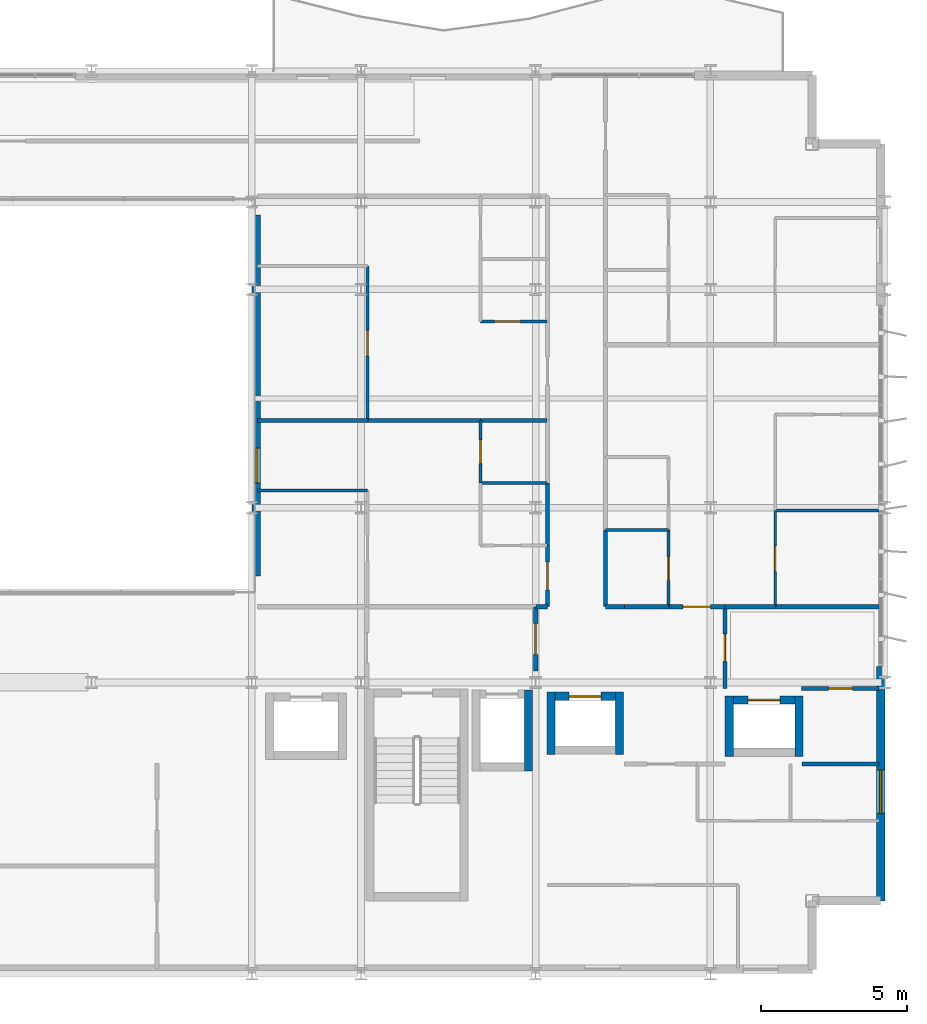
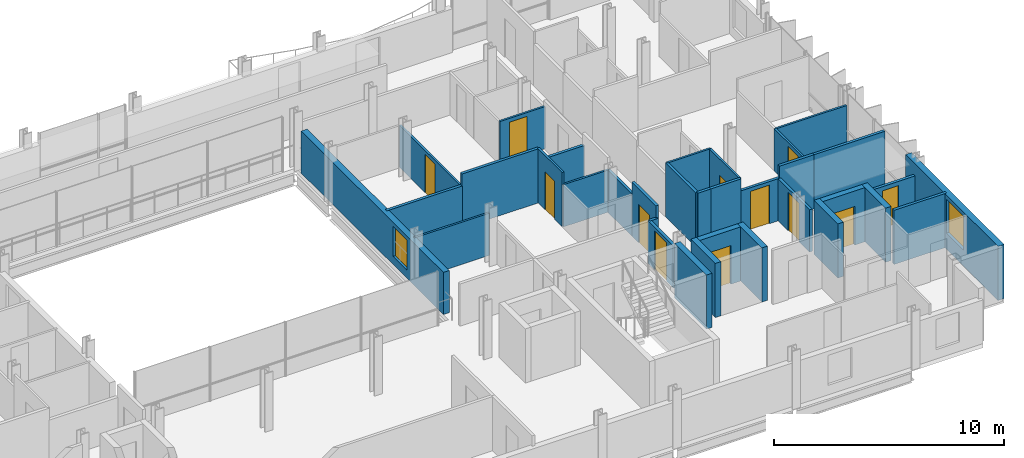
# One storey, part 31 of 38: 34 walls, 12 doors, 2 windows, 14 openings.
"""IFC4 building model written with IfcOpenShell, lengths in metres."""

from ifc_helpers import new_model, si_unit, direction, frame, frame_2d, origin, place, context, subcontext, project, spatial, rectangle, extrude, material, layer, layer_set, type_object, element, fill, save


model = new_model("IFC4")

# Units and contexts
model_context = context("Model", 3, precision=1e-05, world=origin(), true_north=direction((0.0, 1.0)))
body_context = subcontext(model_context, "Body", "Model", "MODEL_VIEW")
ifc_project = project(units=[si_unit("LENGTHUNIT", "METRE"), si_unit("AREAUNIT", "SQUARE_METRE"), si_unit("VOLUMEUNIT", "CUBIC_METRE"), si_unit("PLANEANGLEUNIT", "RADIAN"), si_unit("MASSUNIT", "GRAM", prefix="KILO")], contexts=[model_context])

# Site, building, storey
site_placement = place(None, origin())
site = spatial("IfcSite", under=ifc_project, at=site_placement, CompositionType="ELEMENT")
building_placement = place(site_placement, origin())
building = spatial("IfcBuilding", under=site, at=building_placement, Name="Brevholm Reach", CompositionType="ELEMENT")
storey_placement = place(building_placement, frame((0.0, 0.0, 128.300048828125)))
storey = spatial("IfcBuildingStorey", under=building, at=storey_placement, Name="L38", CompositionType="ELEMENT", Elevation=128.300048828125)

# Walls
ifc_material_1 = material(Name="Concrete C50/60", Category="concrete")
ifc_layer_1 = layer(ifc_material_1, 0.280029296875)
ifc_layer_set_1 = layer_set([ifc_layer_1], Name="Concrete C50/60")
wall_type_1 = type_object("IfcWallType", Name="WAL-COR-280", PredefinedType="SHEAR", material=ifc_layer_set_1)
wall_1_placement = place(storey_placement, frame((47.75, 6.9599609375, 0.0), z_axis=(0.0, 0.0, 1.0), x_axis=(0.0, 1.0, 0.0)))
element("IfcWall", 1, at=wall_1_placement, inside=storey, type_object=wall_type_1, Name="L38 Lift FFL-2 Shaft Wall E", PredefinedType="SHEAR", context=body_context, shape_type="SweptSolid", body=[
    extrude(rectangle(XDim=2.780029296875, YDim=0.280029296875, at=frame_2d((1.39013671875, 0.0))), origin(), (0.0, 0.0, 1.0), 2.8798828125),
])
for number, where, z_axis, x_axis, name in (
    (2, (48.52490234375, 7.534912109375, 0.0), (0.0, 0.0, 1.0), (0.0, 1.0, 0.0), "L38 Lift PL-L1 Shaft Wall W"),
    (3, (50.875, 7.534912109375, 0.0), (0.0, 0.0, 1.0), (0.0, 1.0, 0.0), "L38 Lift PL-L1 Shaft Wall E"),
):
    element("IfcWall", number, at=place(storey_placement, frame(where, z_axis=z_axis, x_axis=x_axis)), inside=storey, type_object=wall_type_1, Name=name, PredefinedType="SHEAR", context=body_context, shape_type="SweptSolid", body=[
        extrude(rectangle(XDim=2.130126953125, YDim=0.280029296875, at=frame_2d((1.06494140625, 0.0))), origin(), (0.0, 0.0, 1.0), 2.8798828125),
    ])

# Wall, opening, door
wall_2_placement = place(storey_placement, frame((48.6650390625, 9.52490234375, 0.0), z_axis=(0.0, 0.0, 1.0), x_axis=(1.0, 0.0, 0.0)))
wall_2 = element("IfcWall", 4, at=wall_2_placement, inside=storey, type_object=wall_type_1, Name="L38 Lift PL-L1 Shaft Wall N", PredefinedType="SHEAR", context=body_context, shape_type="SweptSolid", body=[
    extrude(rectangle(XDim=2.070068359375, YDim=0.280029296875, at=frame_2d((1.03515625, 0.0))), origin(), (0.0, 0.0, 1.0), 2.8798828125),
])
opening_1_placement = place(wall_2_placement, frame((0.485107421875, 0.0, 0.0)))
opening_1 = element("IfcOpeningElement", 5, at=opening_1_placement, cuts=wall_2, Name="Opening LD-PL-L1", PredefinedType="OPENING", context=body_context, shape_type="SweptSolid", body=[
    extrude(rectangle(XDim=1.10009765625, YDim=2.06005859375, at=frame_2d((0.550048828125, 1.030029296875))), frame((0.0, 0.14990234375, 0.0), z_axis=(0.0, -1.0, 0.0), x_axis=(1.0, 0.0, 0.0)), (0.0, 0.0, 1.0), 0.300048828125),
])
ifc_material_2 = material(Name="Brushed Stainless Steel Fire-Rated Sliding Lift Door", Category="steel")
door_type_1 = type_object("IfcDoorType", Name="DOR-LFT-1100", OperationType="NOTDEFINED", PredefinedType="DOOR", material=ifc_material_2)
door_1_placement = place(opening_1_placement, origin())
door_1 = element("IfcDoor", 6, at=door_1_placement, inside=storey, type_object=door_type_1, Name="L38 Lift PL-L1 Sliding Landing Door", OperationType="SLIDING_TO_RIGHT", OverallHeight=2.06005859375, OverallWidth=1.10009765625, PredefinedType="DOOR", context=body_context, shape_type="SweptSolid", body=[
    extrude(rectangle(XDim=1.10009765625, YDim=2.06005859375, at=frame_2d((0.550048828125, 1.030029296875))), frame((0.0, 0.02490234375, 0.0), z_axis=(0.0, -1.0, 0.0), x_axis=(1.0, 0.0, 0.0)), (0.0, 0.0, 1.0), 0.050048828125),
])
fill(opening_1, door_1)

# Walls
for number, where, z_axis, x_axis, name in (
    (7, (54.64990234375, 7.4599609375, 0.0), (0.0, 0.0, 1.0), (0.0, 1.0, 0.0), "L38 Lift PL-L2 Shaft Wall W"),
    (8, (57.050048828125, 7.4599609375, 0.0), (0.0, 0.0, 1.0), (0.0, 1.0, 0.0), "L38 Lift PL-L2 Shaft Wall E"),
):
    element("IfcWall", number, at=place(storey_placement, frame(where, z_axis=z_axis, x_axis=x_axis)), inside=storey, type_object=wall_type_1, Name=name, PredefinedType="SHEAR", context=body_context, shape_type="SweptSolid", body=[
        extrude(rectangle(XDim=2.080078125, YDim=0.280029296875, at=frame_2d((1.0400390625, 0.0))), origin(), (0.0, 0.0, 1.0), 2.8798828125),
    ])

# Wall, opening, door
wall_3_placement = place(storey_placement, frame((54.7900390625, 9.39990234375, 0.0), z_axis=(0.0, 0.0, 1.0), x_axis=(1.0, 0.0, 0.0)))
wall_3 = element("IfcWall", 9, at=wall_3_placement, inside=storey, type_object=wall_type_1, Name="L38 Lift PL-L2 Shaft Wall N", PredefinedType="SHEAR", context=body_context, shape_type="SweptSolid", body=[
    extrude(rectangle(XDim=2.119873046875, YDim=0.280029296875, at=frame_2d((1.06005859375, 0.0))), origin(), (0.0, 0.0, 1.0), 2.8798828125),
])
opening_2_placement = place(wall_3_placement, frame((0.510009765625, 0.0, 0.0)))
opening_2 = element("IfcOpeningElement", 10, at=opening_2_placement, cuts=wall_3, Name="Opening LD-PL-L2", PredefinedType="OPENING", context=body_context, shape_type="SweptSolid", body=[
    extrude(rectangle(XDim=1.10009765625, YDim=2.06005859375, at=frame_2d((0.550048828125, 1.030029296875))), frame((0.0, 0.14990234375, 0.0), z_axis=(0.0, -1.0, 0.0), x_axis=(1.0, 0.0, 0.0)), (0.0, 0.0, 1.0), 0.300048828125),
])
door_2_placement = place(opening_2_placement, origin())
door_2 = element("IfcDoor", 11, at=door_2_placement, inside=storey, type_object=door_type_1, Name="L38 Lift PL-L2 Sliding Landing Door", OperationType="SLIDING_TO_LEFT", OverallHeight=2.06005859375, OverallWidth=1.10009765625, PredefinedType="DOOR", context=body_context, shape_type="SweptSolid", body=[
    extrude(rectangle(XDim=1.10009765625, YDim=2.06005859375, at=frame_2d((0.550048828125, 1.030029296875))), frame((0.0, 0.02490234375, 0.0), z_axis=(0.0, -1.0, 0.0), x_axis=(1.0, 0.0, 0.0)), (0.0, 0.0, 1.0), 0.050048828125),
])
fill(opening_2, door_2)

# Wall, opening, window
ifc_material_3 = material(Name="Concrete C40/50", Category="concrete")
ifc_layer_2 = layer(ifc_material_3, 0.300048828125)
ifc_layer_set_2 = layer_set([ifc_layer_2], Name="Concrete C40/50")
wall_type_2 = type_object("IfcWallType", Name="WAL-EXT-300", PredefinedType="STANDARD", material=ifc_layer_set_2)
wall_4_placement = place(storey_placement, frame((59.85009765625, 2.5, 0.0), z_axis=(0.0, 0.0, 1.0), x_axis=(0.0, 1.0, 0.0)))
wall_4 = element("IfcWall", 12, at=wall_4_placement, inside=storey, type_object=wall_type_2, Name="L38 Facade Wall WAL-L38-E-S", PredefinedType="STANDARD", context=body_context, shape_type="SweptSolid", body=[
    extrude(rectangle(XDim=8.050048828125, YDim=0.300048828125, at=frame_2d((4.02490234375, 0.0))), origin(), (0.0, 0.0, 1.0), 2.8798828125),
])
opening_3_placement = place(wall_4_placement, frame((3.0, 0.0, 0.860107421875)))
opening_3 = element("IfcOpeningElement", 13, at=opening_3_placement, cuts=wall_4, Name="Opening WN-05", PredefinedType="OPENING", context=body_context, shape_type="SweptSolid", body=[
    extrude(rectangle(XDim=1.5, YDim=1.800048828125, at=frame_2d((0.75, 0.89990234375))), frame((0.0, 0.159912109375, 0.0), z_axis=(0.0, -1.0, 0.0), x_axis=(1.0, 0.0, 0.0)), (0.0, 0.0, 1.0), 0.320068359375),
])
ifc_material_4 = material(Name="Dark Anodised Aluminium and Solar-Control IGU Glass", Category="aluminium")
window_type_1 = type_object("IfcWindowType", Name="WIN-RES-1500", PartitioningType="SINGLE_PANEL", PredefinedType="WINDOW", material=ifc_material_4)
window_1_placement = place(opening_3_placement, origin())
window_1 = element("IfcWindow", 14, at=window_1_placement, inside=storey, type_object=window_type_1, Name="L38 Window WIN-L38-ES-1", OverallHeight=1.800048828125, OverallWidth=1.5, PartitioningType="SINGLE_PANEL", PredefinedType="WINDOW", context=body_context, shape_type="SweptSolid", body=[
    extrude(rectangle(XDim=1.5, YDim=1.800048828125, at=frame_2d((0.75, 0.89990234375))), frame((0.0, 0.030029296875, 0.0), z_axis=(0.0, -1.0, 0.0), x_axis=(1.0, 0.0, 0.0)), (0.0, 0.0, 1.0), 0.06005859375),
])
fill(opening_3, window_1)

wall_5_placement = place(storey_placement, frame((38.39990234375, 13.64990234375, 0.0), z_axis=(0.0, 0.0, 1.0), x_axis=(0.0, 1.0, 0.0)))
wall_5 = element("IfcWall", 15, at=wall_5_placement, inside=storey, type_object=wall_type_2, Name="L38 Facade Wall WAL-L38-AT-E", PredefinedType="STANDARD", context=body_context, shape_type="SweptSolid", body=[
    extrude(rectangle(XDim=12.400146484375, YDim=0.300048828125, at=frame_2d((6.2001953125, 0.0))), origin(), (0.0, 0.0, 1.0), 2.24267578125),
])
opening_4_placement = place(wall_5_placement, frame((3.199951171875, 0.0, 0.423095703125)))
opening_4 = element("IfcOpeningElement", 16, at=opening_4_placement, cuts=wall_5, Name="Opening WN-08", PredefinedType="OPENING", context=body_context, shape_type="SweptSolid", body=[
    extrude(rectangle(XDim=1.199951171875, YDim=1.60009765625, at=frame_2d((0.60009765625, 0.800048828125))), frame((0.0, 0.159912109375, 0.0), z_axis=(0.0, -1.0, 0.0), x_axis=(1.0, 0.0, 0.0)), (0.0, 0.0, 1.0), 0.320068359375),
])
ifc_material_5 = material(Name="Dark Anodised Aluminium and Solar-Control IGU Glass", Category="aluminium")
window_type_2 = type_object("IfcWindowType", Name="WIN-RES-1200", PartitioningType="SINGLE_PANEL", PredefinedType="WINDOW", material=ifc_material_5)
window_2_placement = place(opening_4_placement, origin())
window_2 = element("IfcWindow", 17, at=window_2_placement, inside=storey, type_object=window_type_2, Name="L38 Window WIN-L38-AT-E1", OverallHeight=1.60009765625, OverallWidth=1.199951171875, PartitioningType="SINGLE_PANEL", PredefinedType="WINDOW", context=body_context, shape_type="SweptSolid", body=[
    extrude(rectangle(XDim=1.199951171875, YDim=1.60009765625, at=frame_2d((0.60009765625, 0.800048828125))), frame((0.0, 0.030029296875, 0.0), z_axis=(0.0, -1.0, 0.0), x_axis=(1.0, 0.0, 0.0)), (0.0, 0.0, 1.0), 0.06005859375),
])
fill(opening_4, window_2)

# Wall
ifc_material_6 = material(Name="Moisture-Resistant Acoustic Gypsum Stud Partition 100 mm", Category="gypsum")
ifc_layer_3 = layer(ifc_material_6, 0.10009765625)
ifc_layer_set_3 = layer_set([ifc_layer_3], Name="Moisture-Resistant Acoustic Gypsum Stud Partition 100 mm")
wall_type_3 = type_object("IfcWallType", Name="WAL-PRT-100", PredefinedType="PARTITIONING", material=ifc_layer_set_3)
wall_6_placement = place(storey_placement, frame((46.112060546875, 16.85009765625, 0.0), z_axis=(0.0, 0.0, 1.0), x_axis=(1.0, 0.0, 0.0)))
element("IfcWall", 18, at=wall_6_placement, inside=storey, type_object=wall_type_3, Name="L38 Internal Partition 120", PredefinedType="PARTITIONING", context=body_context, shape_type="SweptSolid", body=[
    extrude(rectangle(XDim=2.283935546875, YDim=0.10009765625, at=frame_2d((1.14208984375, 0.0))), origin(), (0.0, 0.0, 1.0), 2.24267578125),
])

# Wall, opening, door
wall_7_placement = place(storey_placement, frame((46.112060546875, 16.85009765625, 0.0), z_axis=(0.0, 0.0, 1.0), x_axis=(0.0, 1.0, 0.0)))
wall_7 = element("IfcWall", 19, at=wall_7_placement, inside=storey, type_object=wall_type_3, Name="L38 Internal Partition 121", PredefinedType="PARTITIONING", context=body_context, shape_type="SweptSolid", body=[
    extrude(rectangle(XDim=2.14990234375, YDim=0.10009765625, at=frame_2d((1.074951171875, 0.0))), origin(), (0.0, 0.0, 1.0), 2.8798828125),
])
opening_5_placement = place(wall_7_placement, frame((0.6650390625, 0.0, 0.0)))
opening_5 = element("IfcOpeningElement", 20, at=opening_5_placement, cuts=wall_7, Name="Opening ID-03", PredefinedType="OPENING", context=body_context, shape_type="SweptSolid", body=[
    extrude(rectangle(XDim=0.820068359375, YDim=2.02001953125, at=frame_2d((0.41015625, 1.010009765625))), frame((0.0, 0.06005859375, 0.0), z_axis=(0.0, -1.0, 0.0), x_axis=(1.0, 0.0, 0.0)), (0.0, 0.0, 1.0), 0.1201171875),
])
ifc_material_7 = material(Name="Moisture-Resistant Painted Timber Internal Bathroom Door", Category="wood")
door_type_2 = type_object("IfcDoorType", Name="DOR-BATH-820", OperationType="NOTDEFINED", PredefinedType="DOOR", material=ifc_material_7)
door_3_placement = place(opening_5_placement, origin())
door_3 = element("IfcDoor", 21, at=door_3_placement, inside=storey, type_object=door_type_2, Name="L38 Internal Door 045", OperationType="SINGLE_SWING_LEFT", OverallHeight=2.02001953125, OverallWidth=0.820068359375, PredefinedType="DOOR", context=body_context, shape_type="SweptSolid", body=[
    extrude(rectangle(XDim=0.820068359375, YDim=2.02001953125, at=frame_2d((0.41015625, 1.010009765625))), frame((0.0, 0.02490234375, 0.0), z_axis=(0.0, -1.0, 0.0), x_axis=(1.0, 0.0, 0.0)), (0.0, 0.0, 1.0), 0.050048828125),
])
fill(opening_5, door_3)

# Wall
wall_8_placement = place(storey_placement, frame((38.449951171875, 16.60009765625, 0.0), z_axis=(0.0, 0.0, 1.0), x_axis=(1.0, 0.0, 0.0)))
element("IfcWall", 22, at=wall_8_placement, inside=storey, type_object=wall_type_3, Name="L38 Internal Partition 126", PredefinedType="PARTITIONING", context=body_context, shape_type="SweptSolid", body=[
    extrude(rectangle(XDim=3.781005859375, YDim=0.10009765625, at=frame_2d((1.890625, 0.0))), origin(), (0.0, 0.0, 1.0), 2.24267578125),
])

# Wall, opening, door
wall_9_placement = place(storey_placement, frame((46.112060546875, 22.39404296875, 0.0), z_axis=(0.0, 0.0, 1.0), x_axis=(1.0, 0.0, 0.0)))
wall_9 = element("IfcWall", 23, at=wall_9_placement, inside=storey, type_object=wall_type_3, Name="L38 Internal Partition 131", PredefinedType="PARTITIONING", context=body_context, shape_type="SweptSolid", body=[
    extrude(rectangle(XDim=2.283935546875, YDim=0.10009765625, at=frame_2d((1.14208984375, 0.0))), origin(), (0.0, 0.0, 1.0), 2.24267578125),
])
opening_6_placement = place(wall_9_placement, frame((0.48193359375, 0.0, 0.0)))
opening_6 = element("IfcOpeningElement", 24, at=opening_6_placement, cuts=wall_9, Name="Opening ID-01", PredefinedType="OPENING", context=body_context, shape_type="SweptSolid", body=[
    extrude(rectangle(XDim=0.8798828125, YDim=2.0400390625, at=frame_2d((0.43994140625, 1.02001953125))), frame((0.0, 0.06005859375, 0.0), z_axis=(0.0, -1.0, 0.0), x_axis=(1.0, 0.0, 0.0)), (0.0, 0.0, 1.0), 0.1201171875),
])
ifc_material_8 = material(Name="Lacquered Ash Solid-Core Acoustic Internal Door", Category="timber")
door_type_3 = type_object("IfcDoorType", Name="DOR-INT-880", OperationType="NOTDEFINED", PredefinedType="DOOR", material=ifc_material_8)
door_4_placement = place(opening_6_placement, origin())
door_4 = element("IfcDoor", 25, at=door_4_placement, inside=storey, type_object=door_type_3, Name="L38 Internal Door 049", OperationType="SINGLE_SWING_LEFT", OverallHeight=2.0400390625, OverallWidth=0.8798828125, PredefinedType="DOOR", context=body_context, shape_type="SweptSolid", body=[
    extrude(rectangle(XDim=0.8798828125, YDim=2.0400390625, at=frame_2d((0.43994140625, 1.02001953125))), frame((0.0, 0.02490234375, 0.0), z_axis=(0.0, -1.0, 0.0), x_axis=(1.0, 0.0, 0.0)), (0.0, 0.0, 1.0), 0.050048828125),
])
fill(opening_6, door_4)

wall_10_placement = place(storey_placement, frame((42.23095703125, 19.00390625, 0.0), z_axis=(0.0, 0.0, 1.0), x_axis=(0.0, 1.0, 0.0)))
wall_10 = element("IfcWall", 26, at=wall_10_placement, inside=storey, type_object=wall_type_3, Name="L38 Internal Partition 133", PredefinedType="PARTITIONING", context=body_context, shape_type="SweptSolid", body=[
    extrude(rectangle(XDim=5.296142578125, YDim=0.10009765625, at=frame_2d((2.64794921875, 0.0))), origin(), (0.0, 0.0, 1.0), 2.24267578125),
])
opening_7_placement = place(wall_10_placement, frame((2.2080078125, 0.0, 0.0)))
opening_7 = element("IfcOpeningElement", 27, at=opening_7_placement, cuts=wall_10, Name="Opening ID-01", PredefinedType="OPENING", context=body_context, shape_type="SweptSolid", body=[
    extrude(rectangle(XDim=0.8798828125, YDim=2.0400390625, at=frame_2d((0.43994140625, 1.02001953125))), frame((0.0, 0.06005859375, 0.0), z_axis=(0.0, -1.0, 0.0), x_axis=(1.0, 0.0, 0.0)), (0.0, 0.0, 1.0), 0.1201171875),
])
door_5_placement = place(opening_7_placement, origin())
door_5 = element("IfcDoor", 28, at=door_5_placement, inside=storey, type_object=door_type_3, Name="L38 Internal Door 050", OperationType="SINGLE_SWING_RIGHT", OverallHeight=2.0400390625, OverallWidth=0.8798828125, PredefinedType="DOOR", context=body_context, shape_type="SweptSolid", body=[
    extrude(rectangle(XDim=0.8798828125, YDim=2.0400390625, at=frame_2d((0.43994140625, 1.02001953125))), frame((0.0, 0.02490234375, 0.0), z_axis=(0.0, -1.0, 0.0), x_axis=(1.0, 0.0, 0.0)), (0.0, 0.0, 1.0), 0.050048828125),
])
fill(opening_7, door_5)

# Wall
wall_11_placement = place(storey_placement, frame((50.404052734375, 15.22998046875, 0.0), z_axis=(0.0, 0.0, 1.0), x_axis=(1.0, 0.0, 0.0)))
element("IfcWall", 29, at=wall_11_placement, inside=storey, type_object=wall_type_3, Name="L38 Internal Partition 135", PredefinedType="PARTITIONING", context=body_context, shape_type="SweptSolid", body=[
    extrude(rectangle(XDim=2.157958984375, YDim=0.10009765625, at=frame_2d((1.0791015625, 0.0))), origin(), (0.0, 0.0, 1.0), 2.8798828125),
])

# Wall, opening, door
wall_12_placement = place(storey_placement, frame((52.56201171875, 12.60400390625, 0.0), z_axis=(0.0, 0.0, 1.0), x_axis=(0.0, 1.0, 0.0)))
wall_12 = element("IfcWall", 30, at=wall_12_placement, inside=storey, type_object=wall_type_3, Name="L38 Internal Partition 136", PredefinedType="PARTITIONING", context=body_context, shape_type="SweptSolid", body=[
    extrude(rectangle(XDim=2.6259765625, YDim=0.10009765625, at=frame_2d((1.31298828125, 0.0))), origin(), (0.0, 0.0, 1.0), 2.8798828125),
])
opening_8_placement = place(wall_12_placement, frame((0.903076171875, 0.0, 0.0)))
opening_8 = element("IfcOpeningElement", 31, at=opening_8_placement, cuts=wall_12, Name="Opening ID-03", PredefinedType="OPENING", context=body_context, shape_type="SweptSolid", body=[
    extrude(rectangle(XDim=0.820068359375, YDim=2.02001953125, at=frame_2d((0.41015625, 1.010009765625))), frame((0.0, 0.06005859375, 0.0), z_axis=(0.0, -1.0, 0.0), x_axis=(1.0, 0.0, 0.0)), (0.0, 0.0, 1.0), 0.1201171875),
])
door_6_placement = place(opening_8_placement, origin())
door_6 = element("IfcDoor", 32, at=door_6_placement, inside=storey, type_object=door_type_2, Name="L38 Internal Door 051", OperationType="SINGLE_SWING_LEFT", OverallHeight=2.02001953125, OverallWidth=0.820068359375, PredefinedType="DOOR", context=body_context, shape_type="SweptSolid", body=[
    extrude(rectangle(XDim=0.820068359375, YDim=2.02001953125, at=frame_2d((0.41015625, 1.010009765625))), frame((0.0, 0.02490234375, 0.0), z_axis=(0.0, -1.0, 0.0), x_axis=(1.0, 0.0, 0.0)), (0.0, 0.0, 1.0), 0.050048828125),
])
fill(opening_8, door_6)

# Wall
wall_13_placement = place(storey_placement, frame((56.22802734375, 15.89990234375, 0.0), z_axis=(0.0, 0.0, 1.0), x_axis=(1.0, 0.0, 0.0)))
element("IfcWall", 33, at=wall_13_placement, inside=storey, type_object=wall_type_3, Name="L38 Internal Partition 139", PredefinedType="PARTITIONING", context=body_context, shape_type="SweptSolid", body=[
    extrude(rectangle(XDim=3.572021484375, YDim=0.10009765625, at=frame_2d((1.7861328125, 0.0))), origin(), (0.0, 0.0, 1.0), 2.24267578125),
])

# Wall, opening, door
wall_14_placement = place(storey_placement, frame((56.22802734375, 12.60400390625, 0.0), z_axis=(0.0, 0.0, 1.0), x_axis=(0.0, 1.0, 0.0)))
wall_14 = element("IfcWall", 34, at=wall_14_placement, inside=storey, type_object=wall_type_3, Name="L38 Internal Partition 140", PredefinedType="PARTITIONING", context=body_context, shape_type="SweptSolid", body=[
    extrude(rectangle(XDim=3.2958984375, YDim=0.10009765625, at=frame_2d((1.64794921875, 0.0))), origin(), (0.0, 0.0, 1.0), 2.24267578125),
])
opening_9_placement = place(wall_14_placement, frame((1.2080078125, 0.0, 0.0)))
opening_9 = element("IfcOpeningElement", 35, at=opening_9_placement, cuts=wall_14, Name="Opening ID-01", PredefinedType="OPENING", context=body_context, shape_type="SweptSolid", body=[
    extrude(rectangle(XDim=0.8798828125, YDim=2.0400390625, at=frame_2d((0.43994140625, 1.02001953125))), frame((0.0, 0.06005859375, 0.0), z_axis=(0.0, -1.0, 0.0), x_axis=(1.0, 0.0, 0.0)), (0.0, 0.0, 1.0), 0.1201171875),
])
door_7_placement = place(opening_9_placement, origin())
door_7 = element("IfcDoor", 36, at=door_7_placement, inside=storey, type_object=door_type_3, Name="L38 Internal Door 053", OperationType="SINGLE_SWING_LEFT", OverallHeight=2.0400390625, OverallWidth=0.8798828125, PredefinedType="DOOR", context=body_context, shape_type="SweptSolid", body=[
    extrude(rectangle(XDim=0.8798828125, YDim=2.0400390625, at=frame_2d((0.43994140625, 1.02001953125))), frame((0.0, 0.02490234375, 0.0), z_axis=(0.0, -1.0, 0.0), x_axis=(1.0, 0.0, 0.0)), (0.0, 0.0, 1.0), 0.050048828125),
])
fill(opening_9, door_7)

ifc_material_9 = material(Name="Twin-Stud Acoustic Fire-Rated Gypsum Partition 140 mm", Category="gypsum")
ifc_layer_4 = layer(ifc_material_9, 0.139892578125)
ifc_layer_set_4 = layer_set([ifc_layer_4], Name="Twin-Stud Acoustic Fire-Rated Gypsum Partition 140 mm")
wall_type_4 = type_object("IfcWallType", Name="WAL-PRT-140", PredefinedType="PARTITIONING", material=ifc_layer_set_4)
wall_15_placement = place(storey_placement, frame((54.5, 9.788818359375, 0.0), z_axis=(0.0, 0.0, 1.0), x_axis=(0.0, 1.0, 0.0)))
wall_15 = element("IfcWall", 37, at=wall_15_placement, inside=storey, type_object=wall_type_4, Name="L38 Internal Partition 009", PredefinedType="PARTITIONING", context=body_context, shape_type="SweptSolid", body=[
    extrude(rectangle(XDim=2.811279296875, YDim=0.139892578125, at=frame_2d((1.40576171875, 0.0))), origin(), (0.0, 0.0, 1.0), 2.24267578125),
])
opening_10_placement = place(wall_15_placement, frame((0.9306640625, 0.0, 0.0)))
opening_10 = element("IfcOpeningElement", 38, at=opening_10_placement, cuts=wall_15, Name="Opening ID-30", PredefinedType="OPENING", context=body_context, shape_type="SweptSolid", body=[
    extrude(rectangle(XDim=0.949951171875, YDim=2.050048828125, at=frame_2d((0.47509765625, 1.02490234375))), frame((0.0, 0.079833984375, 0.0), z_axis=(0.0, -1.0, 0.0), x_axis=(1.0, 0.0, 0.0)), (0.0, 0.0, 1.0), 0.159912109375),
])
ifc_material_10 = material(Name="European Oak Veneered Solid-Core Fire Entrance Door", Category="timber")
door_type_4 = type_object("IfcDoorType", Name="DOR-FLT-FD30S", OperationType="NOTDEFINED", PredefinedType="DOOR", material=ifc_material_10)
door_8_placement = place(opening_10_placement, origin())
door_8 = element("IfcDoor", 39, at=door_8_placement, inside=storey, type_object=door_type_4, Name="L38 Internal Door 005", OperationType="SINGLE_SWING_LEFT", OverallHeight=2.050048828125, OverallWidth=0.949951171875, PredefinedType="DOOR", context=body_context, shape_type="SweptSolid", body=[
    extrude(rectangle(XDim=0.949951171875, YDim=2.050048828125, at=frame_2d((0.47509765625, 1.02490234375))), frame((0.0, 0.02490234375, 0.0), z_axis=(0.0, -1.0, 0.0), x_axis=(1.0, 0.0, 0.0)), (0.0, 0.0, 1.0), 0.050048828125),
])
fill(opening_10, door_8)

# Wall
wall_16_placement = place(storey_placement, frame((51.050048828125, 12.60009765625, 0.0), z_axis=(0.0, 0.0, 1.0), x_axis=(1.0, 0.0, 0.0)))
element("IfcWall", 40, at=wall_16_placement, inside=storey, type_object=wall_type_4, Name="L38 Internal Partition 012", PredefinedType="PARTITIONING", context=body_context, shape_type="SweptSolid", body=[
    extrude(rectangle(XDim=1.523193359375, YDim=0.139892578125, at=frame_2d((0.76171875, 0.0))), origin(), (0.0, 0.0, 1.0), 2.8798828125),
])

# Wall, opening, door
wall_17_placement = place(storey_placement, frame((52.5546875, 12.60009765625, 0.0), z_axis=(0.0, 0.0, 1.0), x_axis=(1.0, 0.0, 0.0)))
wall_17 = element("IfcWall", 41, at=wall_17_placement, inside=storey, type_object=wall_type_4, Name="L38 Internal Partition 013", PredefinedType="PARTITIONING", context=body_context, shape_type="SweptSolid", body=[
    extrude(rectangle(XDim=1.9453125, YDim=0.139892578125, at=frame_2d((0.97265625, 0.0))), origin(), (0.0, 0.0, 1.0), 2.24267578125),
])
opening_11_placement = place(wall_17_placement, frame((0.497802734375, 0.0, 0.0)))
opening_11 = element("IfcOpeningElement", 42, at=opening_11_placement, cuts=wall_17, Name="Opening ID-30", PredefinedType="OPENING", context=body_context, shape_type="SweptSolid", body=[
    extrude(rectangle(XDim=0.949951171875, YDim=2.050048828125, at=frame_2d((0.47509765625, 1.02490234375))), frame((0.0, 0.079833984375, 0.0), z_axis=(0.0, -1.0, 0.0), x_axis=(1.0, 0.0, 0.0)), (0.0, 0.0, 1.0), 0.159912109375),
])
door_9_placement = place(opening_11_placement, origin())
door_9 = element("IfcDoor", 43, at=door_9_placement, inside=storey, type_object=door_type_4, Name="L38 Internal Door 007", OperationType="SINGLE_SWING_LEFT", OverallHeight=2.050048828125, OverallWidth=0.949951171875, PredefinedType="DOOR", context=body_context, shape_type="SweptSolid", body=[
    extrude(rectangle(XDim=0.949951171875, YDim=2.050048828125, at=frame_2d((0.47509765625, 1.02490234375))), frame((0.0, 0.02490234375, 0.0), z_axis=(0.0, -1.0, 0.0), x_axis=(1.0, 0.0, 0.0)), (0.0, 0.0, 1.0), 0.050048828125),
])
fill(opening_11, door_9)

# Walls
wall_18_placement = place(storey_placement, frame((48.00390625, 12.60009765625, 0.0), z_axis=(0.0, 0.0, 1.0), x_axis=(1.0, 0.0, 0.0)))
element("IfcWall", 44, at=wall_18_placement, inside=storey, type_object=wall_type_4, Name="L38 Internal Partition 029", PredefinedType="PARTITIONING", context=body_context, shape_type="SweptSolid", body=[
    extrude(rectangle(XDim=0.4033203125, YDim=0.139892578125, at=frame_2d((0.20166015625, 0.0))), origin(), (0.0, 0.0, 1.0), 2.24267578125),
])
wall_19_placement = place(storey_placement, frame((50.392578125, 12.60009765625, 0.0), z_axis=(0.0, 0.0, 1.0), x_axis=(1.0, 0.0, 0.0)))
element("IfcWall", 45, at=wall_19_placement, inside=storey, type_object=wall_type_4, Name="L38 Internal Partition 030", PredefinedType="PARTITIONING", context=body_context, shape_type="SweptSolid", body=[
    extrude(rectangle(XDim=0.6533203125, YDim=0.139892578125, at=frame_2d((0.32666015625, 0.0))), origin(), (0.0, 0.0, 1.0), 2.8798828125),
])
wall_20_placement = place(storey_placement, frame((48.39990234375, 14.688720703125, 0.0), z_axis=(0.0, 0.0, 1.0), x_axis=(0.0, 1.0, 0.0)))
element("IfcWall", 46, at=wall_20_placement, inside=storey, type_object=wall_type_4, Name="L38 Internal Partition 044", PredefinedType="PARTITIONING", context=body_context, shape_type="SweptSolid", body=[
    extrude(rectangle(XDim=2.168701171875, YDim=0.139892578125, at=frame_2d((1.08447265625, 0.0))), origin(), (0.0, 0.0, 1.0), 2.24267578125),
])

# Wall, opening, door
wall_21_placement = place(storey_placement, frame((48.39990234375, 12.60400390625, 0.0), z_axis=(0.0, 0.0, 1.0), x_axis=(0.0, 1.0, 0.0)))
wall_21 = element("IfcWall", 47, at=wall_21_placement, inside=storey, type_object=wall_type_4, Name="L38 Internal Partition 045", PredefinedType="PARTITIONING", context=body_context, shape_type="SweptSolid", body=[
    extrude(rectangle(XDim=2.103271484375, YDim=0.139892578125, at=frame_2d((1.0517578125, 0.0))), origin(), (0.0, 0.0, 1.0), 2.8798828125),
])
opening_12_placement = place(wall_21_placement, frame((0.57666015625, 0.0, 0.0)))
opening_12 = element("IfcOpeningElement", 48, at=opening_12_placement, cuts=wall_21, Name="Opening ID-30", PredefinedType="OPENING", context=body_context, shape_type="SweptSolid", body=[
    extrude(rectangle(XDim=0.949951171875, YDim=2.050048828125, at=frame_2d((0.47509765625, 1.02490234375))), frame((0.0, 0.079833984375, 0.0), z_axis=(0.0, -1.0, 0.0), x_axis=(1.0, 0.0, 0.0)), (0.0, 0.0, 1.0), 0.159912109375),
])
door_10_placement = place(opening_12_placement, origin())
door_10 = element("IfcDoor", 49, at=door_10_placement, inside=storey, type_object=door_type_4, Name="L38 Internal Door 017", OperationType="SINGLE_SWING_LEFT", OverallHeight=2.050048828125, OverallWidth=0.949951171875, PredefinedType="DOOR", context=body_context, shape_type="SweptSolid", body=[
    extrude(rectangle(XDim=0.949951171875, YDim=2.050048828125, at=frame_2d((0.47509765625, 1.02490234375))), frame((0.0, 0.02490234375, 0.0), z_axis=(0.0, -1.0, 0.0), x_axis=(1.0, 0.0, 0.0)), (0.0, 0.0, 1.0), 0.050048828125),
])
fill(opening_12, door_10)

# Wall
wall_22_placement = place(storey_placement, frame((50.39990234375, 12.60400390625, 0.0), z_axis=(0.0, 0.0, 1.0), x_axis=(0.0, 1.0, 0.0)))
element("IfcWall", 50, at=wall_22_placement, inside=storey, type_object=wall_type_4, Name="L38 Internal Partition 049", PredefinedType="PARTITIONING", context=body_context, shape_type="SweptSolid", body=[
    extrude(rectangle(XDim=2.63720703125, YDim=0.139892578125, at=frame_2d((1.318603515625, 0.0))), origin(), (0.0, 0.0, 1.0), 2.8798828125),
])

# Wall, opening, door
wall_23_placement = place(storey_placement, frame((57.138671875, 9.800048828125, 0.0), z_axis=(0.0, 0.0, 1.0), x_axis=(1.0, 0.0, 0.0)))
wall_23 = element("IfcWall", 51, at=wall_23_placement, inside=storey, type_object=wall_type_4, Name="L38 Internal Partition 074", PredefinedType="PARTITIONING", context=body_context, shape_type="SweptSolid", body=[
    extrude(rectangle(XDim=2.661376953125, YDim=0.139892578125, at=frame_2d((1.33056640625, 0.0))), origin(), (0.0, 0.0, 1.0), 2.24267578125),
])
opening_13_placement = place(wall_23_placement, frame((0.920654296875, 0.0, 0.0)))
opening_13 = element("IfcOpeningElement", 52, at=opening_13_placement, cuts=wall_23, Name="Opening ID-02", PredefinedType="OPENING", context=body_context, shape_type="SweptSolid", body=[
    extrude(rectangle(XDim=0.820068359375, YDim=2.02001953125, at=frame_2d((0.41015625, 1.010009765625))), frame((0.0, 0.079833984375, 0.0), z_axis=(0.0, -1.0, 0.0), x_axis=(1.0, 0.0, 0.0)), (0.0, 0.0, 1.0), 0.159912109375),
])
ifc_material_11 = material(Name="Moisture-Resistant Painted Timber Fire-Rated Riser and Service Door", Category="wood")
door_type_5 = type_object("IfcDoorType", Name="DOR-SRV-820", OperationType="NOTDEFINED", PredefinedType="DOOR", material=ifc_material_11)
door_11_placement = place(opening_13_placement, origin())
door_11 = element("IfcDoor", 53, at=door_11_placement, inside=storey, type_object=door_type_5, Name="L38 Access Door 059", OperationType="SINGLE_SWING_LEFT", OverallHeight=2.02001953125, OverallWidth=0.820068359375, PredefinedType="DOOR", context=body_context, shape_type="SweptSolid", body=[
    extrude(rectangle(XDim=0.820068359375, YDim=2.02001953125, at=frame_2d((0.41015625, 1.010009765625))), frame((0.0, 0.02490234375, 0.0), z_axis=(0.0, -1.0, 0.0), x_axis=(1.0, 0.0, 0.0)), (0.0, 0.0, 1.0), 0.050048828125),
])
fill(opening_13, door_11)

# Walls
wall_24_placement = place(storey_placement, frame((56.216796875, 12.60009765625, 0.0), z_axis=(0.0, 0.0, 1.0), x_axis=(1.0, 0.0, 0.0)))
element("IfcWall", 54, at=wall_24_placement, inside=storey, type_object=wall_type_4, Name="L38 Internal Partition 075", PredefinedType="PARTITIONING", context=body_context, shape_type="SweptSolid", body=[
    extrude(rectangle(XDim=3.583251953125, YDim=0.139892578125, at=frame_2d((1.79150390625, 0.0))), origin(), (0.0, 0.0, 1.0), 2.8798828125),
])
wall_25_placement = place(storey_placement, frame((54.50390625, 12.60009765625, 0.0), z_axis=(0.0, 0.0, 1.0), x_axis=(1.0, 0.0, 0.0)))
element("IfcWall", 55, at=wall_25_placement, inside=storey, type_object=wall_type_4, Name="L38 Internal Partition 076", PredefinedType="PARTITIONING", context=body_context, shape_type="SweptSolid", body=[
    extrude(rectangle(XDim=1.7314453125, YDim=0.139892578125, at=frame_2d((0.86572265625, 0.0))), origin(), (0.0, 0.0, 1.0), 2.8798828125),
])
wall_26_placement = place(storey_placement, frame((57.14990234375, 7.199951171875, 0.0), z_axis=(0.0, 0.0, 1.0), x_axis=(1.0, 0.0, 0.0)))
element("IfcWall", 56, at=wall_26_placement, inside=storey, type_object=wall_type_4, Name="L38 Internal Partition 077", PredefinedType="PARTITIONING", context=body_context, shape_type="SweptSolid", body=[
    extrude(rectangle(XDim=2.650146484375, YDim=0.139892578125, at=frame_2d((1.3251953125, 0.0))), origin(), (0.0, 0.0, 1.0), 2.8798828125),
])
wall_27_placement = place(storey_placement, frame((46.112060546875, 19.0, 0.0), z_axis=(0.0, 0.0, 1.0), x_axis=(1.0, 0.0, 0.0)))
element("IfcWall", 57, at=wall_27_placement, inside=storey, type_object=wall_type_4, Name="L38 Internal Partition 122", PredefinedType="PARTITIONING", context=body_context, shape_type="SweptSolid", body=[
    extrude(rectangle(XDim=2.283935546875, YDim=0.139892578125, at=frame_2d((1.14208984375, 0.0))), origin(), (0.0, 0.0, 1.0), 2.24267578125),
])
wall_28_placement = place(storey_placement, frame((38.449951171875, 19.0, 0.0), z_axis=(0.0, 0.0, 1.0), x_axis=(1.0, 0.0, 0.0)))
element("IfcWall", 58, at=wall_28_placement, inside=storey, type_object=wall_type_4, Name="L38 Internal Partition 127", PredefinedType="PARTITIONING", context=body_context, shape_type="SweptSolid", body=[
    extrude(rectangle(XDim=3.792236328125, YDim=0.139892578125, at=frame_2d((1.89599609375, 0.0))), origin(), (0.0, 0.0, 1.0), 2.24267578125),
])
wall_29_placement = place(storey_placement, frame((42.2236328125, 19.0, 0.0), z_axis=(0.0, 0.0, 1.0), x_axis=(1.0, 0.0, 0.0)))
element("IfcWall", 59, at=wall_29_placement, inside=storey, type_object=wall_type_4, Name="L38 Internal Partition 128", PredefinedType="PARTITIONING", context=body_context, shape_type="SweptSolid", body=[
    extrude(rectangle(XDim=3.88427734375, YDim=0.139892578125, at=frame_2d((1.942138671875, 0.0))), origin(), (0.0, 0.0, 1.0), 2.8798828125),
])

# Wall, opening, door
ifc_material_12 = material(Name="Twin-Frame Fire-Rated Gypsum Board and Mineral Wool 160 mm", Category="gypsum")
ifc_layer_5 = layer(ifc_material_12, 0.159912109375)
ifc_layer_set_5 = layer_set([ifc_layer_5], Name="Twin-Frame Fire-Rated Gypsum Board and Mineral Wool 160 mm")
wall_type_5 = type_object("IfcWallType", Name="WAL-PRT-160", PredefinedType="PARTITIONING", material=ifc_layer_set_5)
wall_30_placement = place(storey_placement, frame((48.0, 10.388671875, 0.0), z_axis=(0.0, 0.0, 1.0), x_axis=(0.0, 1.0, 0.0)))
wall_30 = element("IfcWall", 60, at=wall_30_placement, inside=storey, type_object=wall_type_5, Name="L38 Internal Partition 021", PredefinedType="PARTITIONING", context=body_context, shape_type="SweptSolid", body=[
    extrude(rectangle(XDim=2.21142578125, YDim=0.159912109375, at=frame_2d((1.105712890625, 0.0))), origin(), (0.0, 0.0, 1.0), 2.24267578125),
])
opening_14_placement = place(wall_30_placement, frame((0.58056640625, 0.0, 0.0)))
opening_14 = element("IfcOpeningElement", 61, at=opening_14_placement, cuts=wall_30, Name="Opening FD-01", PredefinedType="OPENING", context=body_context, shape_type="SweptSolid", body=[
    extrude(rectangle(XDim=1.050048828125, YDim=2.06005859375, at=frame_2d((0.52490234375, 1.030029296875))), frame((0.0, 0.08984375, 0.0), z_axis=(0.0, -1.0, 0.0), x_axis=(1.0, 0.0, 0.0)), (0.0, 0.0, 1.0), 0.179931640625),
])
ifc_material_13 = material(Name="Hardwood-Lipped Steel-Core Fire and Smoke Door", Category="steel")
door_type_6 = type_object("IfcDoorType", Name="DOR-INT-FD60S", OperationType="NOTDEFINED", PredefinedType="DOOR", material=ifc_material_13)
door_12_placement = place(opening_14_placement, origin())
door_12 = element("IfcDoor", 62, at=door_12_placement, inside=storey, type_object=door_type_6, Name="L38 Internal Door 011", OperationType="SINGLE_SWING_LEFT", OverallHeight=2.06005859375, OverallWidth=1.050048828125, PredefinedType="DOOR", context=body_context, shape_type="SweptSolid", body=[
    extrude(rectangle(XDim=1.050048828125, YDim=2.06005859375, at=frame_2d((0.52490234375, 1.030029296875))), frame((0.0, 0.02490234375, 0.0), z_axis=(0.0, -1.0, 0.0), x_axis=(1.0, 0.0, 0.0)), (0.0, 0.0, 1.0), 0.050048828125),
])
fill(opening_14, door_12)

save(model, "model.ifc")
